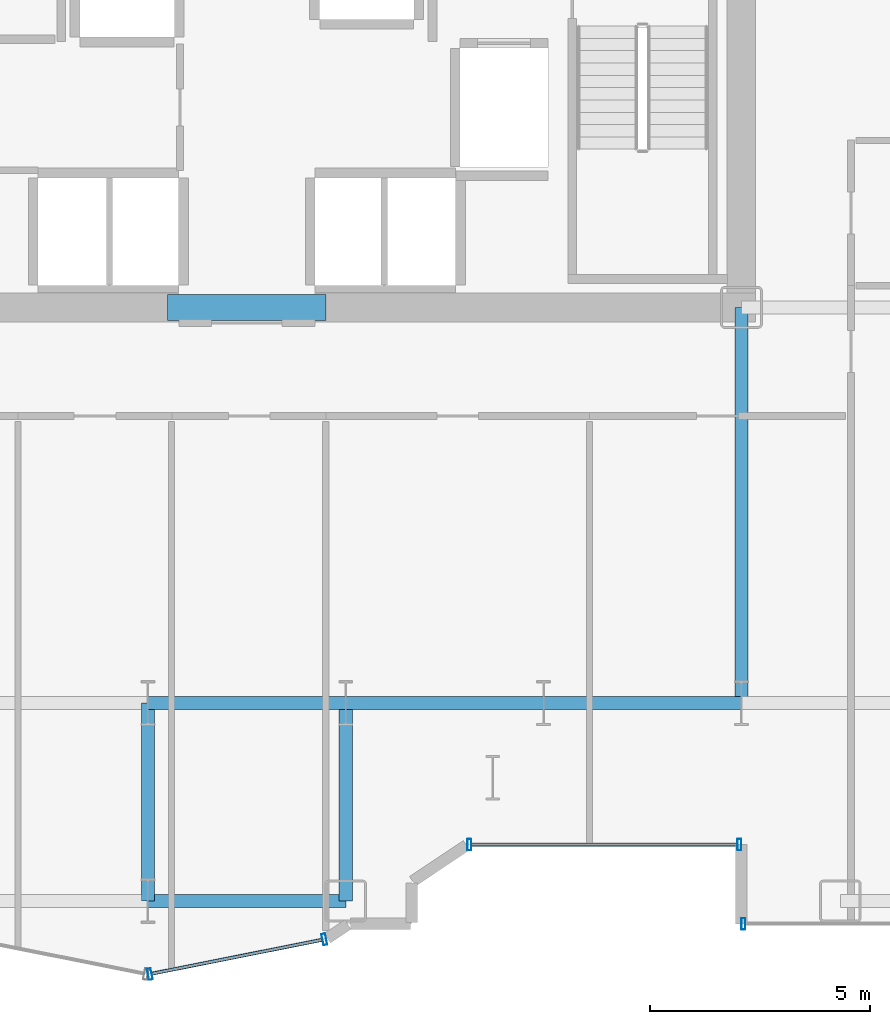
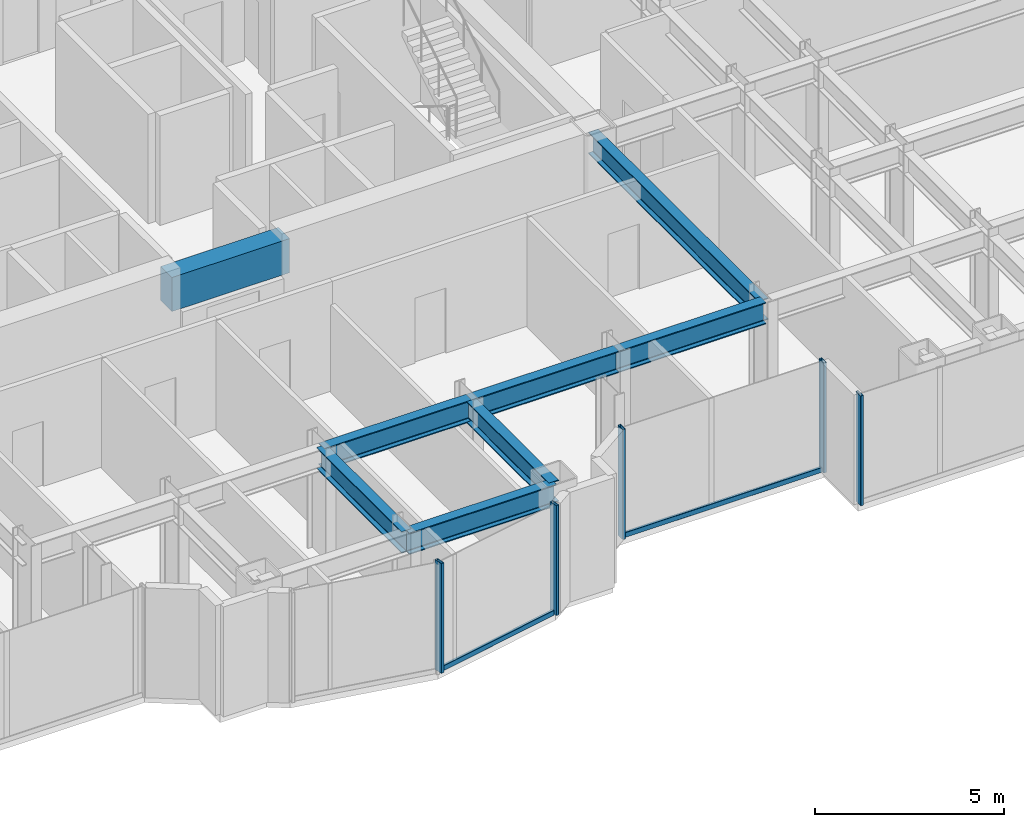
# One storey, part 6 of 26: 8 beams, 7 members, 3 elements without a shape of their own.
"""IFC4 building model written with IfcOpenShell, lengths in metres."""

from ifc_helpers import new_model, si_unit, direction, frame, origin, origin_2d, place, context, subcontext, project, spatial, rectangle, hollow_rectangle, i_section, extrude, source, transform, mapped, material, layer, layer_set, material_profile, profile_set, type_object, element, aggregate, save


model = new_model("IFC4")

# Units and contexts
model_context = context("Model", 3, precision=1e-05, world=origin(), true_north=direction((0.0, 1.0)))
body_context = subcontext(model_context, "Body", "Model", "MODEL_VIEW")
ifc_project = project(units=[si_unit("LENGTHUNIT", "METRE"), si_unit("AREAUNIT", "SQUARE_METRE"), si_unit("VOLUMEUNIT", "CUBIC_METRE"), si_unit("PLANEANGLEUNIT", "RADIAN"), si_unit("MASSUNIT", "GRAM", prefix="KILO")], contexts=[model_context])

# Site, building, storey
site_placement = place(None, origin())
site = spatial("IfcSite", under=ifc_project, at=site_placement, CompositionType="ELEMENT")
building_placement = place(site_placement, origin())
building = spatial("IfcBuilding", under=site, at=building_placement, Name="Nefas-Gora Pilgrimage Tower", CompositionType="ELEMENT")
storey_placement = place(building_placement, frame((0.0, 0.0, 63.39990234375)))
storey = spatial("IfcBuildingStorey", under=building, at=storey_placement, Name="L14", CompositionType="ELEMENT", Elevation=63.39990234375)

# Beams
ifc_material_1 = material(Name="Concrete C60/75", Category="concrete")
ifc_material_profile_1 = material_profile(ifc_material_1, rectangle(XDim=0.60009765625, YDim=1.10009765625, at=origin_2d()), Name="RC 600x1100")
ifc_profile_set_1 = profile_set([ifc_material_profile_1], Name="Concrete C60/75")
beam_type_1 = type_object("IfcBeamType", Name="BM-LIN-RC1100", PredefinedType="LINTEL", material=ifc_profile_set_1)
shared_shape_1 = source(origin(), body_context, "Body", "SweptSolid", [
    extrude(rectangle(XDim=0.60009765625, YDim=1.10009765625, at=origin_2d()), origin(), (0.0, 0.0, 1.0), 3.60009765625),
])
beam_1_placement = place(storey_placement, frame((-1.800048828125, -9.0, 3.0), z_axis=(1.0, 0.0, 0.0), x_axis=(0.0, 1.0, 0.0)))
element("IfcBeam", 1, at=beam_1_placement, inside=storey, type_object=beam_type_1, Name="L14 Core Coupling Lintel Beam S", PredefinedType="LINTEL", context=body_context, shape_type="MappedRepresentation", body=[
    mapped(shared_shape_1, transform((0.0, 0.0, 0.0), x_axis=(1.0, 0.0, 0.0), y_axis=(0.0, 1.0, 0.0), z_axis=(0.0, 0.0, 1.0), scale=1.0)),
])
ifc_material_2 = material(Name="Steel S355", Category="steel")
ifc_material_profile_2 = material_profile(ifc_material_2, i_section(OverallWidth=0.300048828125, OverallDepth=0.699951171875, WebThickness=0.01708984375, FlangeThickness=0.031982421875, FilletRadius=0.027099609375, at=origin_2d()), Name="HEB 700")
ifc_profile_set_2 = profile_set([ifc_material_profile_2], Name="Steel S355")
beam_type_2 = type_object("IfcBeamType", Name="BM-GIR-HEB700", PredefinedType="BEAM", material=ifc_profile_set_2)
shared_shape_2 = source(origin(), body_context, "Body", "SweptSolid", [
    extrude(i_section(OverallWidth=0.300048828125, OverallDepth=0.699951171875, WebThickness=0.01708984375, FlangeThickness=0.031982421875, FilletRadius=0.027099609375, at=origin_2d()), origin(), (0.0, 0.0, 1.0), 9.0),
])
beam_2_placement = place(storey_placement, frame((11.25, -18.0, 3.2001953125), z_axis=(0.0, 1.0, 0.0), x_axis=(-1.0, 0.0, 0.0)))
element("IfcBeam", 2, at=beam_2_placement, inside=storey, type_object=beam_type_2, Name="L14 G-02 beam", PredefinedType="BEAM", context=body_context, shape_type="MappedRepresentation", body=[
    mapped(shared_shape_2, transform((0.0, 0.0, 0.0), x_axis=(1.0, 0.0, 0.0), y_axis=(0.0, 1.0, 0.0), z_axis=(0.0, 0.0, 1.0), scale=1.0)),
])
shared_shape_3 = source(origin(), body_context, "Body", "SweptSolid", [
    extrude(i_section(OverallWidth=0.300048828125, OverallDepth=0.699951171875, WebThickness=0.01708984375, FlangeThickness=0.031982421875, FilletRadius=0.027099609375, at=origin_2d()), origin(), (0.0, 0.0, 1.0), 4.5),
])
for number, where, z_axis, x_axis, name in (
    (3, (-2.25, -22.5, 3.2001953125), (0.0, 1.0, 0.0), (-1.0, 0.0, 0.0), "L14 G-02 beam"),
    (4, (-2.25, -22.5, 3.2001953125), (1.0, 0.0, 0.0), (0.0, 1.0, 0.0), "L14 G-02 beam"),
    (5, (-2.25, -18.0, 3.2001953125), (1.0, 0.0, 0.0), (0.0, 1.0, 0.0), "L14 G-02 beam"),
    (6, (2.25, -22.5, 3.2001953125), (0.0, 1.0, 0.0), (-1.0, 0.0, 0.0), "L14 G-02 beam"),
    (7, (2.25, -18.0, 3.2001953125), (1.0, 0.0, 0.0), (0.0, 1.0, 0.0), "L14 G-02 beam"),
    (8, (6.75, -18.0, 3.2001953125), (1.0, 0.0, 0.0), (0.0, 1.0, 0.0), "L14 G-02 beam"),
):
    element("IfcBeam", number, at=place(storey_placement, frame(where, z_axis=z_axis, x_axis=x_axis)), inside=storey, type_object=beam_type_2, Name=name, PredefinedType="BEAM", context=body_context, shape_type="MappedRepresentation", body=[
        mapped(shared_shape_3, transform((0.0, 0.0, 0.0), x_axis=(1.0, 0.0, 0.0), y_axis=(0.0, 1.0, 0.0), z_axis=(0.0, 0.0, 1.0), scale=1.0)),
    ])

# Curtain wall, members
ifc_material_3 = material(Name="Dark ceramic-fritted solar-control aluminium-glass curtain wall", Category="aluminium")
ifc_layer_1 = layer(ifc_material_3, 0.219970703125)
ifc_layer_set_1 = layer_set([ifc_layer_1], Name="Dark ceramic-fritted solar-control aluminium-glass curtain wall")
curtain_wall_type_1 = type_object("IfcCurtainWallType", Name="CW-SYS-5", PredefinedType="NOTDEFINED", material=ifc_layer_set_1)
curtain_wall_1_placement = place(storey_placement, origin())
curtain_wall_1 = element("IfcCurtainWall", 9, at=curtain_wall_1_placement, inside=storey, type_object=curtain_wall_type_1, Name="L14 Unitised Curtain Wall CW5", PredefinedType="NOTDEFINED")
ifc_material_4 = material(Name="Anodised architectural aluminium", Category="aluminium")
ifc_material_profile_3 = material_profile(ifc_material_4, hollow_rectangle(XDim=0.090087890625, YDim=0.260009765625, WallThickness=0.006103515625, InnerFilletRadius=0.006103515625, OuterFilletRadius=0.011962890625, at=origin_2d()), Name="ALU MULLION 90x260")
ifc_profile_set_3 = profile_set([ifc_material_profile_3], Name="Anodised architectural aluminium")
member_type_1 = type_object("IfcMemberType", Name="CWM-MUL-5", PredefinedType="MULLION", material=ifc_profile_set_3)
shared_shape_4 = source(origin(), body_context, "Body", "SweptSolid", [
    extrude(hollow_rectangle(XDim=0.090087890625, YDim=0.260009765625, WallThickness=0.006103515625, InnerFilletRadius=0.006103515625, OuterFilletRadius=0.011962890625, at=origin_2d()), origin(), (0.0, 0.0, 1.0), 3.550048828125),
])
member_1_placement = place(storey_placement, frame((5.06298828125, -21.219970703125, 0.0), z_axis=(0.0, 0.0, 1.0), x_axis=(1.0, 0.0, 0.0)))
member_1 = element("IfcMember", 10, at=member_1_placement, type_object=member_type_1, Name="CW5 Mullion 1", PredefinedType="MULLION", context=body_context, shape_type="MappedRepresentation", body=[
    mapped(shared_shape_4, transform((0.0, 0.0, 0.0), x_axis=(1.0, 0.0, 0.0), y_axis=(0.0, 1.0, 0.0), z_axis=(0.0, 0.0, 1.0), scale=1.0)),
])
member_2_placement = place(storey_placement, frame((11.205078125, -21.219970703125, 0.0), z_axis=(0.0, 0.0, 1.0), x_axis=(1.0, 0.0, 0.0)))
member_2 = element("IfcMember", 11, at=member_2_placement, type_object=member_type_1, Name="CW5 Mullion 2", PredefinedType="MULLION", context=body_context, shape_type="MappedRepresentation", body=[
    mapped(shared_shape_4, transform((0.0, 0.0, 0.0), x_axis=(1.0, 0.0, 0.0), y_axis=(0.0, 1.0, 0.0), z_axis=(0.0, 0.0, 1.0), scale=1.0)),
])

curtain_wall_2_placement = place(storey_placement, origin())
curtain_wall_2 = element("IfcCurtainWall", 12, at=curtain_wall_2_placement, inside=storey, type_object=curtain_wall_type_1, Name="L14 Unitised Curtain Wall CW5", PredefinedType="NOTDEFINED")
member_3_placement = place(storey_placement, frame((-2.205810546875, -24.16357421875, 0.0), z_axis=(0.0, 0.0, 1.0), x_axis=(0.980782896852, 0.195102304554, 0.0)))
member_3 = element("IfcMember", 13, at=member_3_placement, type_object=member_type_1, Name="CW5 Mullion 1", PredefinedType="MULLION", context=body_context, shape_type="MappedRepresentation", body=[
    mapped(shared_shape_4, transform((0.0, 0.0, 0.0), x_axis=(1.0, 0.0, 0.0), y_axis=(0.0, 1.0, 0.0), z_axis=(0.0, 0.0, 1.0), scale=1.0)),
])
member_4_placement = place(storey_placement, frame((1.76318359375, -23.3740234375, 0.0), z_axis=(0.0, 0.0, 1.0), x_axis=(0.980782896852, 0.195102304554, 0.0)))
member_4 = element("IfcMember", 14, at=member_4_placement, type_object=member_type_1, Name="CW5 Mullion 2", PredefinedType="MULLION", context=body_context, shape_type="MappedRepresentation", body=[
    mapped(shared_shape_4, transform((0.0, 0.0, 0.0), x_axis=(1.0, 0.0, 0.0), y_axis=(0.0, 1.0, 0.0), z_axis=(0.0, 0.0, 1.0), scale=1.0)),
])

# Member
ifc_material_profile_4 = material_profile(ifc_material_4, hollow_rectangle(XDim=0.080078125, YDim=0.159912109375, WallThickness=0.00439453125, InnerFilletRadius=0.00439453125, OuterFilletRadius=0.009033203125, at=origin_2d()), Name="ALU TRANSOM 80x160")
ifc_profile_set_4 = profile_set([ifc_material_profile_4], Name="Anodised architectural aluminium")
member_type_2 = type_object("IfcMemberType", Name="CWM-TRN-5", PredefinedType="USERDEFINED", material=ifc_profile_set_4)
shared_shape_5 = source(origin(), body_context, "Body", "SweptSolid", [
    extrude(hollow_rectangle(XDim=0.080078125, YDim=0.159912109375, WallThickness=0.00439453125, InnerFilletRadius=0.00439453125, OuterFilletRadius=0.009033203125, at=origin_2d()), origin(), (0.0, 0.0, 1.0), 6.052001953125),
])
member_5_placement = place(storey_placement, frame((5.10791015625, -21.219970703125, 0.050048828125), z_axis=(1.0, 0.0, 0.0), x_axis=(0.0, 1.0, 0.0)))
member_5 = element("IfcMember", 15, at=member_5_placement, type_object=member_type_2, Name="CW5 Spandrel Transom", ObjectType="TRANSOM", PredefinedType="USERDEFINED", context=body_context, shape_type="MappedRepresentation", body=[
    mapped(shared_shape_5, transform((0.0, 0.0, 0.0), x_axis=(1.0, 0.0, 0.0), y_axis=(0.0, 1.0, 0.0), z_axis=(0.0, 0.0, 1.0), scale=1.0)),
])

aggregate(curtain_wall_1, [member_1, member_2, member_5])

# Curtain wall, member
ifc_layer_2 = layer(ifc_material_3, 0.219970703125)
ifc_layer_set_2 = layer_set([ifc_layer_2], Name="Dark ceramic-fritted solar-control aluminium-glass curtain wall")
curtain_wall_type_2 = type_object("IfcCurtainWallType", Name="CW-SYS-2", PredefinedType="NOTDEFINED", material=ifc_layer_set_2)
curtain_wall_3_placement = place(storey_placement, origin())
curtain_wall_3 = element("IfcCurtainWall", 16, at=curtain_wall_3_placement, inside=storey, type_object=curtain_wall_type_2, Name="L14 Unitised Curtain Wall CW2", PredefinedType="NOTDEFINED")
ifc_material_profile_5 = material_profile(ifc_material_4, hollow_rectangle(XDim=0.090087890625, YDim=0.260009765625, WallThickness=0.006103515625, InnerFilletRadius=0.006103515625, OuterFilletRadius=0.011962890625, at=origin_2d()), Name="ALU MULLION 90x260")
ifc_profile_set_5 = profile_set([ifc_material_profile_5], Name="Anodised architectural aluminium")
member_type_3 = type_object("IfcMemberType", Name="CWM-MUL-2", PredefinedType="MULLION", material=ifc_profile_set_5)
shared_shape_6 = source(origin(), body_context, "Body", "SweptSolid", [
    extrude(hollow_rectangle(XDim=0.090087890625, YDim=0.260009765625, WallThickness=0.006103515625, InnerFilletRadius=0.006103515625, OuterFilletRadius=0.011962890625, at=origin_2d()), origin(), (0.0, 0.0, 1.0), 3.550048828125),
])
member_6_placement = place(storey_placement, frame((11.294921875, -23.02001953125, 0.0), z_axis=(0.0, 0.0, 1.0), x_axis=(1.0, 0.0, 0.0)))
member_6 = element("IfcMember", 17, at=member_6_placement, type_object=member_type_3, Name="CW2 Mullion 1", PredefinedType="MULLION", context=body_context, shape_type="MappedRepresentation", body=[
    mapped(shared_shape_6, transform((0.0, 0.0, 0.0), x_axis=(1.0, 0.0, 0.0), y_axis=(0.0, 1.0, 0.0), z_axis=(0.0, 0.0, 1.0), scale=1.0)),
])
aggregate(curtain_wall_3, [member_6])

# Member
shared_shape_7 = source(origin(), body_context, "Body", "SweptSolid", [
    extrude(hollow_rectangle(XDim=0.080078125, YDim=0.159912109375, WallThickness=0.00439453125, InnerFilletRadius=0.00439453125, OuterFilletRadius=0.009033203125, at=origin_2d()), origin(), (0.0, 0.0, 1.0), 3.95654296875),
])
member_7_placement = place(storey_placement, frame((-2.16162109375, -24.15478515625, 0.050048828125), z_axis=(0.980781880918, 0.195107411605, 0.0), x_axis=(-0.195107411605, 0.980781880918, 0.0)))
member_7 = element("IfcMember", 18, at=member_7_placement, type_object=member_type_2, Name="CW5 Spandrel Transom", ObjectType="TRANSOM", PredefinedType="USERDEFINED", context=body_context, shape_type="MappedRepresentation", body=[
    mapped(shared_shape_7, transform((0.0, 0.0, 0.0), x_axis=(1.0, 0.0, 0.0), y_axis=(0.0, 1.0, 0.0), z_axis=(0.0, 0.0, 1.0), scale=1.0)),
])

aggregate(curtain_wall_2, [member_3, member_4, member_7])

save(model, "model.ifc")
